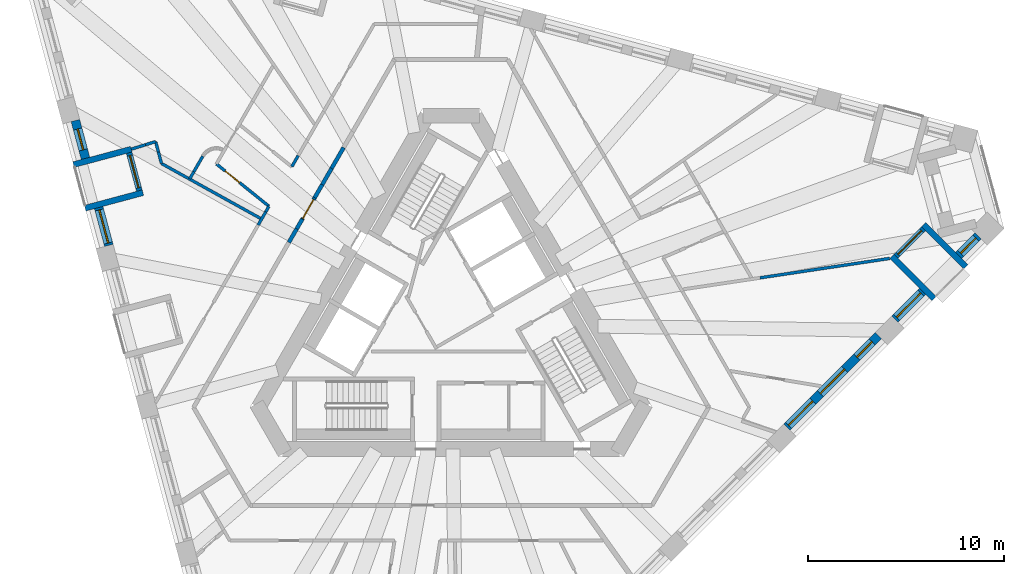
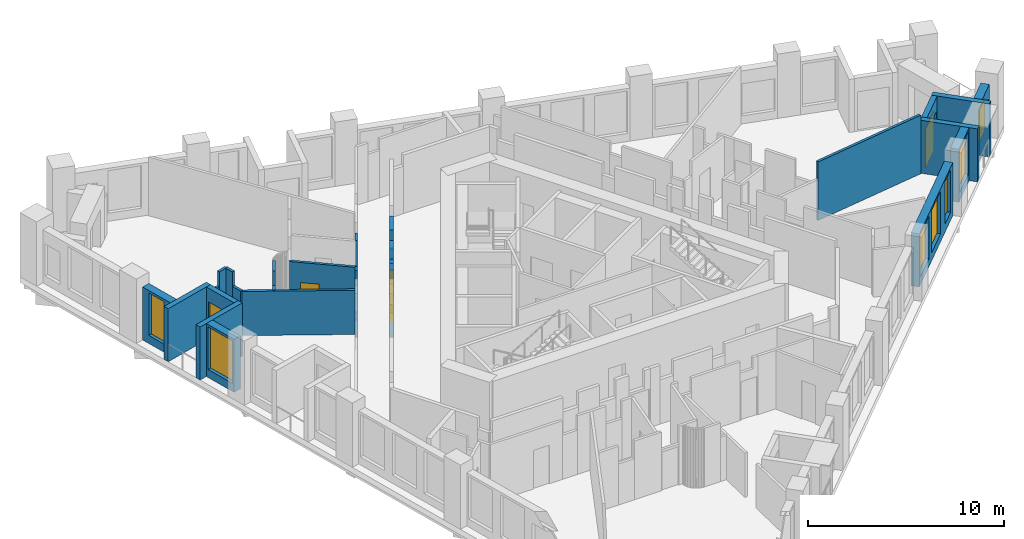
# One storey, part 6 of 13: 29 walls, 7 windows, 4 doors, 11 openings.
"""IFC4 building model written with IfcOpenShell, lengths in metres."""

from ifc_helpers import new_model, si_unit, direction, frame, frame_2d, origin, place, context, subcontext, project, spatial, polyline, rectangle, outline, extrude, material, layer, layer_set, type_object, element, fill, save


model = new_model("IFC4")

# Units and contexts
model_context = context("Model", 3, precision=1e-05, world=origin(), true_north=direction((0.0, 1.0)))
body_context = subcontext(model_context, "Body", "Model", "MODEL_VIEW")
ifc_project = project(units=[si_unit("LENGTHUNIT", "METRE"), si_unit("AREAUNIT", "SQUARE_METRE"), si_unit("VOLUMEUNIT", "CUBIC_METRE"), si_unit("PLANEANGLEUNIT", "RADIAN"), si_unit("MASSUNIT", "GRAM", prefix="KILO")], contexts=[model_context])

# Site, building, storey
site_placement = place(None, origin())
site = spatial("IfcSite", under=ifc_project, at=site_placement, CompositionType="ELEMENT")
building_placement = place(site_placement, origin())
building = spatial("IfcBuilding", under=site, at=building_placement, Name="Tramontana Tower", CompositionType="ELEMENT")
storey_placement = place(building_placement, frame((0.0, 0.0, 216.0)))
storey = spatial("IfcBuildingStorey", under=building, at=storey_placement, Name="L50", CompositionType="ELEMENT", Elevation=216.0)

# Walls
ifc_material_1 = material(Name="Blockwork", Category="masonry")
ifc_layer_1 = layer(ifc_material_1, 0.199951171875)
ifc_layer_set_1 = layer_set([ifc_layer_1], Name="ENTRY WALL 200")
wall_type_1 = type_object("IfcWallType", Name="ENTRY WALL 200", PredefinedType="SOLIDWALL", material=ifc_layer_set_1)
wall_1_placement = place(storey_placement, frame((-8.2783203125, 4.16162109375, 0.0), z_axis=(0.0, 0.0, 1.0), x_axis=(0.500109828528, 0.865961984968, 0.0)))
element("IfcWall", 1, at=wall_1_placement, inside=storey, type_object=wall_type_1, Name="Wall v51-ew4-5", PredefinedType="SOLIDWALL", context=body_context, shape_type="SweptSolid", body=[
    extrude(rectangle(XDim=0.800048828125, YDim=0.199951171875, at=frame_2d((0.39990234375, 0.0))), origin(), (0.0, 0.0, 1.0), 2.75),
])
wall_2_placement = place(storey_placement, frame((-7.878173828125, 4.8544921875, 0.0), z_axis=(0.0, 0.0, 1.0), x_axis=(0.499783563124, 0.866150327617, 0.0)))
element("IfcWall", 2, at=wall_2_placement, inside=storey, type_object=wall_type_1, Name="Wall v51-ew4-6", PredefinedType="SOLIDWALL", context=body_context, shape_type="SweptSolid", body=[
    extrude(rectangle(XDim=0.576416015625, YDim=0.199951171875, at=frame_2d((0.2880859375, 0.0))), origin(), (0.0, 0.0, 1.0), 3.64990234375),
])

# Wall, opening, door
wall_3_placement = place(storey_placement, frame((-7.590087890625, 5.353759765625, 0.0), z_axis=(0.0, 0.0, 1.0), x_axis=(0.50013570633, 0.86594703952, 0.0)))
wall_3 = element("IfcWall", 3, at=wall_3_placement, inside=storey, type_object=wall_type_1, Name="Wall v51-ew4-7", PredefinedType="SOLIDWALL", context=body_context, shape_type="SweptSolid", body=[
    extrude(outline(polyline([(0.0, 0.0), (1.261474609375, 0.0), (1.261474609375, 2.550048828125), (0.347412109375, 2.550048828125), (0.347412109375, 3.64990234375), (0.0, 3.64990234375), (0.0, 0.0)])), frame((0.0, 0.10009765625, 0.0), z_axis=(0.0, -1.0, 0.0), x_axis=(1.0, 0.0, 0.0)), (0.0, 0.0, 1.0), 0.199951171875),
])
opening_1_placement = place(wall_3_placement, frame((0.050048828125, 0.0, 0.0)))
opening_1 = element("IfcOpeningElement", 4, at=opening_1_placement, cuts=wall_3, Name="Opening B5B-19", PredefinedType="OPENING", context=body_context, shape_type="SweptSolid", body=[
    extrude(rectangle(XDim=1.10009765625, YDim=2.39990234375, at=frame_2d((0.550048828125, 1.199951171875))), frame((0.0, 0.10986328125, 0.0), z_axis=(0.0, -1.0, 0.0), x_axis=(1.0, 0.0, 0.0)), (0.0, 0.0, 1.0), 0.219970703125),
])
ifc_material_2 = material(Name="Painted timber", Category="wood")
door_type_1 = type_object("IfcDoorType", Name="DOOR ENTRY 1100", OperationType="SINGLE_SWING_LEFT", PredefinedType="DOOR", material=ifc_material_2)
door_1_placement = place(opening_1_placement, origin())
door_1 = element("IfcDoor", 5, at=door_1_placement, inside=storey, type_object=door_type_1, Name="Door B5B-19", OperationType="SINGLE_SWING_LEFT", OverallHeight=2.39990234375, OverallWidth=1.10009765625, PredefinedType="DOOR", context=body_context, shape_type="SweptSolid", body=[
    extrude(rectangle(XDim=1.10009765625, YDim=2.39990234375, at=frame_2d((0.550048828125, 1.199951171875))), frame((0.0, 0.02490234375, 0.0), z_axis=(0.0, -1.0, 0.0), x_axis=(1.0, 0.0, 0.0)), (0.0, 0.0, 1.0), 0.050048828125),
])
fill(opening_1, door_1)

# Walls
wall_4_placement = place(storey_placement, frame((-6.959228515625, 6.446044921875, 0.0), z_axis=(0.0, 0.0, 1.0), x_axis=(0.499997253739, 0.866026989333, 0.0)))
element("IfcWall", 6, at=wall_4_placement, inside=storey, type_object=wall_type_1, Name="Wall v51-ew4-8", PredefinedType="SOLIDWALL", context=body_context, shape_type="SweptSolid", body=[
    extrude(rectangle(XDim=0.76904296875, YDim=0.199951171875, at=frame_2d((0.384521484375, 0.0))), origin(), (0.0, 0.0, 1.0), 3.64990234375),
])
wall_5_placement = place(storey_placement, frame((-6.57470703125, 7.112060546875, 0.0), z_axis=(0.0, 0.0, 1.0), x_axis=(0.499869636591, 0.866100656052, 0.0)))
element("IfcWall", 7, at=wall_5_placement, inside=storey, type_object=wall_type_1, Name="Wall v51-ew4-9", PredefinedType="SOLIDWALL", context=body_context, shape_type="SweptSolid", body=[
    extrude(rectangle(XDim=0.957275390625, YDim=0.199951171875, at=frame_2d((0.478515625, 0.0))), origin(), (0.0, 0.0, 1.0), 2.550048828125),
])
wall_6_placement = place(storey_placement, frame((-6.09619140625, 7.941162109375, 0.0), z_axis=(0.0, 0.0, 1.0), x_axis=(0.500055461028, 0.865993380977, 0.0)))
element("IfcWall", 8, at=wall_6_placement, inside=storey, type_object=wall_type_1, Name="Wall v51-ew4-10", PredefinedType="SOLIDWALL", context=body_context, shape_type="SweptSolid", body=[
    extrude(rectangle(XDim=1.226806640625, YDim=0.199951171875, at=frame_2d((0.61328125, 0.0))), origin(), (0.0, 0.0, 1.0), 3.64990234375),
])

# Wall, opening, window
ifc_material_3 = material(Name="Precast concrete 60 MPa", Category="concrete")
ifc_layer_2 = layer(ifc_material_3, 0.449951171875)
ifc_layer_set_2 = layer_set([ifc_layer_2], Name="Precast concrete 60 MPa, 450 mm")
wall_type_2 = type_object("IfcWallType", Name="EW1 Stone-faced precast wall 450", PredefinedType="SOLIDWALL", material=ifc_layer_set_2)
wall_7_placement = place(storey_placement, frame((-19.1650390625, 10.3818359375, 0.0), z_axis=(0.0, 0.0, 1.0), x_axis=(0.258803270362, -0.96593005298, 0.0)))
wall_7 = element("IfcWall", 9, at=wall_7_placement, inside=storey, type_object=wall_type_2, Name="External wall L50 face 0 bay 2", PredefinedType="SOLIDWALL", context=body_context, shape_type="SweptSolid", body=[
    extrude(rectangle(XDim=1.998046875, YDim=0.449951171875, at=frame_2d((0.9990234375, 0.0))), origin(), (0.0, 0.0, 1.0), 3.300048828125),
])
opening_2_placement = place(wall_7_placement, frame((0.448974609375, 0.0, 0.5)))
opening_2 = element("IfcOpeningElement", 10, at=opening_2_placement, cuts=wall_7, Name="Opening N2", PredefinedType="OPENING", context=body_context, shape_type="SweptSolid", body=[
    extrude(rectangle(XDim=1.10009765625, YDim=2.64990234375, at=frame_2d((0.550048828125, 1.324951171875))), frame((0.0, 0.23486328125, 0.0), z_axis=(0.0, -1.0, 0.0), x_axis=(1.0, 0.0, 0.0)), (0.0, 0.0, 1.0), 0.469970703125),
])
ifc_material_4 = material(Name="Aluminum frame, double glazing unit", Category="aluminium")
window_type_1 = type_object("IfcWindowType", Name="N2 Window 1.1 x 2.65", PartitioningType="SINGLE_PANEL", PredefinedType="WINDOW", material=ifc_material_4)
window_1_placement = place(opening_2_placement, origin())
window_1 = element("IfcWindow", 11, at=window_1_placement, inside=storey, type_object=window_type_1, Name="Window N2 L50 face 0 module 4", OverallHeight=2.64990234375, OverallWidth=1.10009765625, PartitioningType="SINGLE_PANEL", PredefinedType="WINDOW", context=body_context, shape_type="SweptSolid", body=[
    extrude(rectangle(XDim=1.10009765625, YDim=2.64990234375, at=frame_2d((0.550048828125, 1.324951171875))), frame((0.0, 0.030029296875, 0.0), z_axis=(0.0, -1.0, 0.0), x_axis=(1.0, 0.0, 0.0)), (0.0, 0.0, 1.0), 0.06005859375),
])
fill(opening_2, window_1)

wall_8_placement = place(storey_placement, frame((-17.9755859375, 5.9423828125, 0.0), z_axis=(0.0, 0.0, 1.0), x_axis=(0.25891727291, -0.965899500874, 0.0)))
wall_8 = element("IfcWall", 12, at=wall_8_placement, inside=storey, type_object=wall_type_2, Name="External wall L50 face 0 bay 2", PredefinedType="SOLIDWALL", context=body_context, shape_type="SweptSolid", body=[
    extrude(rectangle(XDim=1.998046875, YDim=0.449951171875, at=frame_2d((0.9990234375, 0.0))), origin(), (0.0, 0.0, 1.0), 3.300048828125),
])
opening_3_placement = place(wall_8_placement, frame((0.1240234375, 0.0, 0.5)))
opening_3 = element("IfcOpeningElement", 13, at=opening_3_placement, cuts=wall_8, Name="Opening M2", PredefinedType="OPENING", context=body_context, shape_type="SweptSolid", body=[
    extrude(rectangle(XDim=1.75, YDim=2.64990234375, at=frame_2d((0.875, 1.324951171875))), frame((0.0, 0.23486328125, 0.0), z_axis=(0.0, -1.0, 0.0), x_axis=(1.0, 0.0, 0.0)), (0.0, 0.0, 1.0), 0.469970703125),
])
ifc_material_5 = material(Name="Aluminum frame, double glazing unit", Category="aluminium")
window_type_2 = type_object("IfcWindowType", Name="M2 Window 1.75 x 2.65", PartitioningType="SINGLE_PANEL", PredefinedType="WINDOW", material=ifc_material_5)
window_2_placement = place(opening_3_placement, origin())
window_2 = element("IfcWindow", 14, at=window_2_placement, inside=storey, type_object=window_type_2, Name="Window M2 L50 face 0 module 6", OverallHeight=2.64990234375, OverallWidth=1.75, PartitioningType="SINGLE_PANEL", PredefinedType="WINDOW", context=body_context, shape_type="SweptSolid", body=[
    extrude(rectangle(XDim=1.75, YDim=2.64990234375, at=frame_2d((0.875, 1.324951171875))), frame((0.0, 0.030029296875, 0.0), z_axis=(0.0, -1.0, 0.0), x_axis=(1.0, 0.0, 0.0)), (0.0, 0.0, 1.0), 0.06005859375),
])
fill(opening_3, window_2)

# Wall, openings, windows
wall_9_placement = place(storey_placement, frame((17.12548828125, -5.25439453125, 0.0), z_axis=(0.0, 0.0, 1.0), x_axis=(0.707106781187, 0.707106781187, 0.0)))
wall_9 = element("IfcWall", 15, at=wall_9_placement, inside=storey, type_object=wall_type_2, Name="External wall L50 face 1 bay 5", PredefinedType="SOLIDWALL", context=body_context, shape_type="SweptSolid", body=[
    extrude(rectangle(XDim=6.59423828125, YDim=0.449951171875, at=frame_2d((3.297119140625, 0.0))), origin(), (0.0, 0.0, 1.0), 3.300048828125),
])
opening_4_placement = place(wall_9_placement, frame((0.1240234375, 0.0, 0.5)))
opening_4 = element("IfcOpeningElement", 16, at=opening_4_placement, cuts=wall_9, Name="Opening M2", PredefinedType="OPENING", context=body_context, shape_type="SweptSolid", body=[
    extrude(rectangle(XDim=1.75, YDim=2.64990234375, at=frame_2d((0.875, 1.324951171875))), frame((0.0, 0.23486328125, 0.0), z_axis=(0.0, -1.0, 0.0), x_axis=(1.0, 0.0, 0.0)), (0.0, 0.0, 1.0), 0.469970703125),
])
opening_5_placement = place(wall_9_placement, frame((2.422119140625, 0.0, 0.5)))
opening_5 = element("IfcOpeningElement", 17, at=opening_5_placement, cuts=wall_9, Name="Opening M2", PredefinedType="OPENING", context=body_context, shape_type="SweptSolid", body=[
    extrude(rectangle(XDim=1.75, YDim=2.64990234375, at=frame_2d((0.875, 1.324951171875))), frame((0.0, 0.23486328125, 0.0), z_axis=(0.0, -1.0, 0.0), x_axis=(1.0, 0.0, 0.0)), (0.0, 0.0, 1.0), 0.469970703125),
])
opening_6_placement = place(wall_9_placement, frame((5.045166015625, 0.0, 0.5)))
opening_6 = element("IfcOpeningElement", 18, at=opening_6_placement, cuts=wall_9, Name="Opening N2", PredefinedType="OPENING", context=body_context, shape_type="SweptSolid", body=[
    extrude(rectangle(XDim=1.10009765625, YDim=2.64990234375, at=frame_2d((0.550048828125, 1.324951171875))), frame((0.0, 0.23486328125, 0.0), z_axis=(0.0, -1.0, 0.0), x_axis=(1.0, 0.0, 0.0)), (0.0, 0.0, 1.0), 0.469970703125),
])
window_3_placement = place(opening_4_placement, origin())
window_3 = element("IfcWindow", 19, at=window_3_placement, inside=storey, type_object=window_type_2, Name="Window M2 L50 face 1 module 13", OverallHeight=2.64990234375, OverallWidth=1.75, PartitioningType="SINGLE_PANEL", PredefinedType="WINDOW", context=body_context, shape_type="SweptSolid", body=[
    extrude(rectangle(XDim=1.75, YDim=2.64990234375, at=frame_2d((0.875, 1.324951171875))), frame((0.0, 0.030029296875, 0.0), z_axis=(0.0, -1.0, 0.0), x_axis=(1.0, 0.0, 0.0)), (0.0, 0.0, 1.0), 0.06005859375),
])
fill(opening_4, window_3)
window_4_placement = place(opening_5_placement, origin())
window_4 = element("IfcWindow", 20, at=window_4_placement, inside=storey, type_object=window_type_2, Name="Window M2 L50 face 1 module 14", OverallHeight=2.64990234375, OverallWidth=1.75, PartitioningType="SINGLE_PANEL", PredefinedType="WINDOW", context=body_context, shape_type="SweptSolid", body=[
    extrude(rectangle(XDim=1.75, YDim=2.64990234375, at=frame_2d((0.875, 1.324951171875))), frame((0.0, 0.030029296875, 0.0), z_axis=(0.0, -1.0, 0.0), x_axis=(1.0, 0.0, 0.0)), (0.0, 0.0, 1.0), 0.06005859375),
])
fill(opening_5, window_4)
window_5_placement = place(opening_6_placement, origin())
window_5 = element("IfcWindow", 21, at=window_5_placement, inside=storey, type_object=window_type_1, Name="Window N2 L50 face 1 module 15", OverallHeight=2.64990234375, OverallWidth=1.10009765625, PartitioningType="SINGLE_PANEL", PredefinedType="WINDOW", context=body_context, shape_type="SweptSolid", body=[
    extrude(rectangle(XDim=1.10009765625, YDim=2.64990234375, at=frame_2d((0.550048828125, 1.324951171875))), frame((0.0, 0.030029296875, 0.0), z_axis=(0.0, -1.0, 0.0), x_axis=(1.0, 0.0, 0.0)), (0.0, 0.0, 1.0), 0.06005859375),
])
fill(opening_6, window_5)

# Wall, opening, window
wall_10_placement = place(storey_placement, frame((22.636962890625, 0.257080078125, 0.0), z_axis=(0.0, 0.0, 1.0), x_axis=(0.707106781187, 0.707106781187, 0.0)))
wall_10 = element("IfcWall", 22, at=wall_10_placement, inside=storey, type_object=wall_type_2, Name="External wall L50 face 1 bay 6", PredefinedType="SOLIDWALL", context=body_context, shape_type="SweptSolid", body=[
    extrude(rectangle(XDim=1.998046875, YDim=0.449951171875, at=frame_2d((0.9990234375, 0.0))), origin(), (0.0, 0.0, 1.0), 3.300048828125),
])
opening_7_placement = place(wall_10_placement, frame((0.1240234375, 0.0, 0.5)))
opening_7 = element("IfcOpeningElement", 23, at=opening_7_placement, cuts=wall_10, Name="Opening M2", PredefinedType="OPENING", context=body_context, shape_type="SweptSolid", body=[
    extrude(rectangle(XDim=1.75, YDim=2.64990234375, at=frame_2d((0.875, 1.324951171875))), frame((0.0, 0.23486328125, 0.0), z_axis=(0.0, -1.0, 0.0), x_axis=(1.0, 0.0, 0.0)), (0.0, 0.0, 1.0), 0.469970703125),
])
window_6_placement = place(opening_7_placement, origin())
window_6 = element("IfcWindow", 24, at=window_6_placement, inside=storey, type_object=window_type_2, Name="Window M2 L50 face 1 module 16", OverallHeight=2.64990234375, OverallWidth=1.75, PartitioningType="SINGLE_PANEL", PredefinedType="WINDOW", context=body_context, shape_type="SweptSolid", body=[
    extrude(rectangle(XDim=1.75, YDim=2.64990234375, at=frame_2d((0.875, 1.324951171875))), frame((0.0, 0.030029296875, 0.0), z_axis=(0.0, -1.0, 0.0), x_axis=(1.0, 0.0, 0.0)), (0.0, 0.0, 1.0), 0.06005859375),
])
fill(opening_7, window_6)

wall_11_placement = place(storey_placement, frame((25.886962890625, 3.507080078125, 0.0), z_axis=(0.0, 0.0, 1.0), x_axis=(0.707106781187, 0.707106781187, 0.0)))
wall_11 = element("IfcWall", 25, at=wall_11_placement, inside=storey, type_object=wall_type_2, Name="External wall L50 face 1 bay 6", PredefinedType="SOLIDWALL", context=body_context, shape_type="SweptSolid", body=[
    extrude(rectangle(XDim=1.39794921875, YDim=0.449951171875, at=frame_2d((0.698974609375, 0.0))), origin(), (0.0, 0.0, 1.0), 3.300048828125),
])
opening_8_placement = place(wall_11_placement, frame((0.14892578125, 0.0, 0.5)))
opening_8 = element("IfcOpeningElement", 26, at=opening_8_placement, cuts=wall_11, Name="Opening N2L", PredefinedType="OPENING", context=body_context, shape_type="SweptSolid", body=[
    extrude(rectangle(XDim=1.10009765625, YDim=2.0, at=frame_2d((0.550048828125, 1.0))), frame((0.0, 0.23486328125, 0.0), z_axis=(0.0, -1.0, 0.0), x_axis=(1.0, 0.0, 0.0)), (0.0, 0.0, 1.0), 0.469970703125),
])
ifc_material_6 = material(Name="Aluminum frame, double glazing unit", Category="aluminium")
window_type_3 = type_object("IfcWindowType", Name="N2L Window 1.1 x 2", PartitioningType="SINGLE_PANEL", PredefinedType="WINDOW", material=ifc_material_6)
window_7_placement = place(opening_8_placement, origin())
window_7 = element("IfcWindow", 27, at=window_7_placement, inside=storey, type_object=window_type_3, Name="Window N2L L50 face 1 module 18", OverallHeight=2.0, OverallWidth=1.10009765625, PartitioningType="SINGLE_PANEL", PredefinedType="WINDOW", context=body_context, shape_type="SweptSolid", body=[
    extrude(rectangle(XDim=1.10009765625, YDim=2.0, at=frame_2d((0.550048828125, 1.0))), frame((0.0, 0.030029296875, 0.0), z_axis=(0.0, -1.0, 0.0), x_axis=(1.0, 0.0, 0.0)), (0.0, 0.0, 1.0), 0.06005859375),
])
fill(opening_8, window_7)

# Wall, opening, door
ifc_material_7 = material(Name="Precast concrete 60 MPa", Category="concrete")
ifc_layer_3 = layer(ifc_material_7, 0.300048828125)
ifc_layer_set_3 = layer_set([ifc_layer_3], Name="LW1 Stone-faced loggia wall 300")
wall_type_3 = type_object("IfcWallType", Name="LW1 Stone-faced loggia wall 300", PredefinedType="SOLIDWALL", material=ifc_layer_set_3)
wall_12_placement = place(storey_placement, frame((-16.421142578125, 8.738037109375, 0.0), z_axis=(0.0, 0.0, 1.0), x_axis=(0.258803270362, -0.96593005298, 0.0)))
wall_12 = element("IfcWall", 28, at=wall_12_placement, inside=storey, type_object=wall_type_3, Name="Loggia wall L50 G5S0.4", PredefinedType="SOLIDWALL", context=body_context, shape_type="SweptSolid", body=[
    extrude(rectangle(XDim=1.998046875, YDim=0.300048828125, at=frame_2d((0.9990234375, 0.0))), origin(), (0.0, 0.0, 1.0), 3.300048828125),
])
opening_9_placement = place(wall_12_placement, frame((0.14892578125, 0.0, 0.0)))
opening_9 = element("IfcOpeningElement", 29, at=opening_9_placement, cuts=wall_12, Name="Opening BD-5S0-04", PredefinedType="OPENING", context=body_context, shape_type="SweptSolid", body=[
    extrude(rectangle(XDim=1.699951171875, YDim=2.449951171875, at=frame_2d((0.85009765625, 1.22509765625))), frame((0.0, 0.159912109375, 0.0), z_axis=(0.0, -1.0, 0.0), x_axis=(1.0, 0.0, 0.0)), (0.0, 0.0, 1.0), 0.320068359375),
])
ifc_material_8 = material(Name="Aluminum frame, double glazing unit", Category="aluminium")
door_type_2 = type_object("IfcDoorType", Name="BD2 Sliding door 1.7 x 2.45", OperationType="SLIDING_TO_LEFT", PredefinedType="DOOR", material=ifc_material_8)
door_2_placement = place(opening_9_placement, origin())
door_2 = element("IfcDoor", 30, at=door_2_placement, inside=storey, type_object=door_type_2, Name="Loggia door L50 G5S0.4", OperationType="SLIDING_TO_LEFT", OverallHeight=2.449951171875, OverallWidth=1.699951171875, PredefinedType="DOOR", context=body_context, shape_type="SweptSolid", body=[
    extrude(rectangle(XDim=1.699951171875, YDim=2.449951171875, at=frame_2d((0.85009765625, 1.22509765625))), frame((0.0, 0.02490234375, 0.0), z_axis=(0.0, -1.0, 0.0), x_axis=(1.0, 0.0, 0.0)), (0.0, 0.0, 1.0), 0.050048828125),
])
fill(opening_9, door_2)

# Walls
wall_13_placement = place(storey_placement, frame((-19.26123046875, 8.13232421875, 0.0), z_axis=(0.0, 0.0, 1.0), x_axis=(0.9659380486, 0.25877342651, 0.0)))
element("IfcWall", 31, at=wall_13_placement, inside=storey, type_object=wall_type_3, Name="Loggia return L50 G5S0.4a", PredefinedType="SOLIDWALL", context=body_context, shape_type="SweptSolid", body=[
    extrude(rectangle(XDim=3.05029296875, YDim=0.300048828125, at=frame_2d((1.525146484375, 0.0))), origin(), (0.0, 0.0, 1.0), 3.300048828125),
])
wall_14_placement = place(storey_placement, frame((-18.666259765625, 5.91259765625, 0.0), z_axis=(0.0, 0.0, 1.0), x_axis=(0.965932688119, 0.258793435045, 0.0)))
element("IfcWall", 32, at=wall_14_placement, inside=storey, type_object=wall_type_3, Name="Loggia return L50 G5S0.4b", PredefinedType="SOLIDWALL", context=body_context, shape_type="SweptSolid", body=[
    extrude(rectangle(XDim=3.050048828125, YDim=0.300048828125, at=frame_2d((1.52490234375, 0.0))), origin(), (0.0, 0.0, 1.0), 3.300048828125),
])

# Wall, opening, door
wall_15_placement = place(storey_placement, frame((22.688720703125, 3.455322265625, 0.0), z_axis=(0.0, 0.0, 1.0), x_axis=(0.707106781187, 0.707106781187, 0.0)))
wall_15 = element("IfcWall", 33, at=wall_15_placement, inside=storey, type_object=wall_type_3, Name="Loggia wall L50 G5S1.16", PredefinedType="SOLIDWALL", context=body_context, shape_type="SweptSolid", body=[
    extrude(rectangle(XDim=1.998046875, YDim=0.300048828125, at=frame_2d((0.9990234375, 0.0))), origin(), (0.0, 0.0, 1.0), 3.300048828125),
])
opening_10_placement = place(wall_15_placement, frame((0.14892578125, 0.0, 0.0)))
opening_10 = element("IfcOpeningElement", 34, at=opening_10_placement, cuts=wall_15, Name="Opening BD-5S1-16", PredefinedType="OPENING", context=body_context, shape_type="SweptSolid", body=[
    extrude(rectangle(XDim=1.699951171875, YDim=2.449951171875, at=frame_2d((0.85009765625, 1.22509765625))), frame((0.0, 0.159912109375, 0.0), z_axis=(0.0, -1.0, 0.0), x_axis=(1.0, 0.0, 0.0)), (0.0, 0.0, 1.0), 0.320068359375),
])
door_3_placement = place(opening_10_placement, origin())
door_3 = element("IfcDoor", 35, at=door_3_placement, inside=storey, type_object=door_type_2, Name="Loggia door L50 G5S1.16", OperationType="SLIDING_TO_LEFT", OverallHeight=2.449951171875, OverallWidth=1.699951171875, PredefinedType="DOOR", context=body_context, shape_type="SweptSolid", body=[
    extrude(rectangle(XDim=1.699951171875, YDim=2.449951171875, at=frame_2d((0.85009765625, 1.22509765625))), frame((0.0, 0.02490234375, 0.0), z_axis=(0.0, -1.0, 0.0), x_axis=(1.0, 0.0, 0.0)), (0.0, 0.0, 1.0), 0.050048828125),
])
fill(opening_10, door_3)

# Walls
for number, where, z_axis, x_axis, name in (
    (36, (24.633056640625, 1.298583984375, 0.0), (0.0, 0.0, 1.0), (-0.707066755897, 0.707146804211, 0.0), "Loggia return L50 G5S1.16a"),
    (37, (26.258056640625, 2.923583984375, 0.0), (0.0, 0.0, 1.0), (-0.707066755897, 0.707146804211, 0.0), "Loggia return L50 G5S1.16b"),
):
    element("IfcWall", number, at=place(storey_placement, frame(where, z_axis=z_axis, x_axis=x_axis)), inside=storey, type_object=wall_type_3, Name=name, PredefinedType="SOLIDWALL", context=body_context, shape_type="SweptSolid", body=[
        extrude(rectangle(XDim=3.0498046875, YDim=0.300048828125, at=frame_2d((1.52490234375, 0.0))), origin(), (0.0, 0.0, 1.0), 3.300048828125),
    ])
ifc_material_9 = material(Name="Gypsum board partition")
ifc_layer_4 = layer(ifc_material_9, 0.14990234375)
ifc_layer_set_4 = layer_set([ifc_layer_4], Name="PARTITION 150")
wall_type_4 = type_object("IfcWallType", Name="PARTITION 150", PredefinedType="PARTITIONING", material=ifc_layer_set_4)
wall_16_placement = place(storey_placement, frame((-9.843994140625, 5.0498046875, 0.0), z_axis=(0.0, 0.0, 1.0), x_axis=(0.500204125617, 0.865907519724, 0.0)))
element("IfcWall", 38, at=wall_16_placement, inside=storey, type_object=wall_type_4, Name="Wall v51-pw01-4", PredefinedType="PARTITIONING", context=body_context, shape_type="SweptSolid", body=[
    extrude(rectangle(XDim=0.775146484375, YDim=0.14990234375, at=frame_2d((0.3876953125, 0.0))), origin(), (0.0, 0.0, 1.0), 2.75),
])
wall_17_placement = place(storey_placement, frame((-9.456298828125, 5.720947265625, 0.0), z_axis=(0.0, 0.0, 1.0), x_axis=(0.499572501669, 0.866272079416, 0.0)))
element("IfcWall", 39, at=wall_17_placement, inside=storey, type_object=wall_type_4, Name="Wall v51-pw01-5", PredefinedType="PARTITIONING", context=body_context, shape_type="SweptSolid", body=[
    extrude(rectangle(XDim=0.328857421875, YDim=0.14990234375, at=frame_2d((0.16455078125, 0.0))), origin(), (0.0, 0.0, 1.0), 3.64990234375),
])
wall_18_placement = place(storey_placement, frame((-15.073974609375, 9.30615234375, 0.0), z_axis=(0.0, 0.0, 1.0), x_axis=(-0.955252629149, -0.295791167049, 0.0)))
element("IfcWall", 40, at=wall_18_placement, inside=storey, type_object=wall_type_4, Name="Wall v51-pw02-0", PredefinedType="PARTITIONING", context=body_context, shape_type="SweptSolid", body=[
    extrude(rectangle(XDim=0.543212890625, YDim=0.14990234375, at=frame_2d((0.271484375, 0.0))), origin(), (0.0, 0.0, 1.0), 3.64990234375),
])
wall_19_placement = place(storey_placement, frame((-15.5927734375, 9.1455078125, 0.0), z_axis=(0.0, 0.0, 1.0), x_axis=(-0.955155499666, -0.296104663013, 0.0)))
element("IfcWall", 41, at=wall_19_placement, inside=storey, type_object=wall_type_4, Name="Wall v51-pw02-1", PredefinedType="PARTITIONING", context=body_context, shape_type="SweptSolid", body=[
    extrude(rectangle(XDim=0.756103515625, YDim=0.14990234375, at=frame_2d((0.3779296875, 0.0))), origin(), (0.0, 0.0, 1.0), 2.75),
])
wall_20_placement = place(storey_placement, frame((-14.77294921875, 8.190185546875, 0.0), z_axis=(0.0, 0.0, 1.0), x_axis=(-0.258715941946, 0.965953446799, 0.0)))
element("IfcWall", 42, at=wall_20_placement, inside=storey, type_object=wall_type_4, Name="Wall v51-pw03-0", PredefinedType="PARTITIONING", context=body_context, shape_type="SweptSolid", body=[
    extrude(rectangle(XDim=0.605712890625, YDim=0.14990234375, at=frame_2d((0.302734375, 0.0))), origin(), (0.0, 0.0, 1.0), 2.75),
])
wall_21_placement = place(storey_placement, frame((-14.9296875, 8.775390625, 0.0), z_axis=(0.0, 0.0, 1.0), x_axis=(-0.258743505369, 0.965946063934, 0.0)))
element("IfcWall", 43, at=wall_21_placement, inside=storey, type_object=wall_type_4, Name="Wall v51-pw03-1", PredefinedType="PARTITIONING", context=body_context, shape_type="SweptSolid", body=[
    extrude(rectangle(XDim=0.548095703125, YDim=0.14990234375, at=frame_2d((0.27392578125, 0.0))), origin(), (0.0, 0.0, 1.0), 3.64990234375),
])
wall_22_placement = place(storey_placement, frame((-13.33251953125, 7.407470703125, 0.0), z_axis=(0.0, 0.0, 1.0), x_axis=(0.50011153263, 0.865961000814, 0.0)))
element("IfcWall", 44, at=wall_22_placement, inside=storey, type_object=wall_type_4, Name="Wall v51-pw05-0", PredefinedType="PARTITIONING", context=body_context, shape_type="SweptSolid", body=[
    extrude(rectangle(XDim=0.41650390625, YDim=0.14990234375, at=frame_2d((0.208251953125, 0.0))), origin(), (0.0, 0.0, 1.0), 2.75),
])
wall_23_placement = place(storey_placement, frame((-13.124267578125, 7.76806640625, 0.0), z_axis=(0.0, 0.0, 1.0), x_axis=(0.499982117899, 0.866035727774, 0.0)))
element("IfcWall", 45, at=wall_23_placement, inside=storey, type_object=wall_type_4, Name="Wall v51-pw05-1", PredefinedType="PARTITIONING", context=body_context, shape_type="SweptSolid", body=[
    extrude(rectangle(XDim=0.92236328125, YDim=0.14990234375, at=frame_2d((0.461181640625, 0.0))), origin(), (0.0, 0.0, 1.0), 3.64990234375),
])
wall_24_placement = place(storey_placement, frame((-9.731201171875, 5.39501953125, 0.0), z_axis=(0.0, 0.0, 1.0), x_axis=(-0.874584439846, 0.484873238671, 0.0)))
element("IfcWall", 46, at=wall_24_placement, inside=storey, type_object=wall_type_4, Name="Wall v51-pw27-0", PredefinedType="PARTITIONING", context=body_context, shape_type="SweptSolid", body=[
    extrude(rectangle(XDim=5.7646484375, YDim=0.14990234375, at=frame_2d((2.88232421875, 0.0))), origin(), (0.0, 0.0, 1.0), 2.75),
])

# Wall, opening, door
wall_25_placement = place(storey_placement, frame((-9.292724609375, 6.009765625, 0.0), z_axis=(0.0, 0.0, 1.0), x_axis=(-0.778674886867, 0.627427621772, 0.0)))
wall_25 = element("IfcWall", 47, at=wall_25_placement, inside=storey, type_object=wall_type_4, Name="Wall v51-pw28", PredefinedType="PARTITIONING", context=body_context, shape_type="SweptSolid", body=[
    extrude(rectangle(XDim=3.438232421875, YDim=0.14990234375, at=frame_2d((1.71923828125, 0.0))), origin(), (0.0, 0.0, 1.0), 3.64990234375),
])
opening_11_placement = place(wall_25_placement, frame((1.919921875, 0.0, 0.0)))
opening_11 = element("IfcOpeningElement", 48, at=opening_11_placement, cuts=wall_25, Name="Opening B5B-01", PredefinedType="OPENING", context=body_context, shape_type="SweptSolid", body=[
    extrude(rectangle(XDim=0.949951171875, YDim=2.39990234375, at=frame_2d((0.47509765625, 1.199951171875))), frame((0.0, 0.0849609375, 0.0), z_axis=(0.0, -1.0, 0.0), x_axis=(1.0, 0.0, 0.0)), (0.0, 0.0, 1.0), 0.169921875),
])
ifc_material_10 = material(Name="Painted timber", Category="wood")
door_type_3 = type_object("IfcDoorType", Name="DOOR ROOM 950", OperationType="SINGLE_SWING_LEFT", PredefinedType="DOOR", material=ifc_material_10)
door_4_placement = place(opening_11_placement, origin())
door_4 = element("IfcDoor", 49, at=door_4_placement, inside=storey, type_object=door_type_3, Name="Door B5B-01", OperationType="SINGLE_SWING_LEFT", OverallHeight=2.39990234375, OverallWidth=0.949951171875, PredefinedType="DOOR", context=body_context, shape_type="SweptSolid", body=[
    extrude(rectangle(XDim=0.949951171875, YDim=2.39990234375, at=frame_2d((0.47509765625, 1.199951171875))), frame((0.0, 0.02490234375, 0.0), z_axis=(0.0, -1.0, 0.0), x_axis=(1.0, 0.0, 0.0)), (0.0, 0.0, 1.0), 0.050048828125),
])
fill(opening_11, door_4)

# Walls
wall_26_placement = place(storey_placement, frame((-8.125, 8.027099609375, 0.0), z_axis=(0.0, 0.0, 1.0), x_axis=(0.499907248082, 0.866078947507, 0.0)))
element("IfcWall", 50, at=wall_26_placement, inside=storey, type_object=wall_type_4, Name="Wall v51-pw29-0", PredefinedType="PARTITIONING", context=body_context, shape_type="SweptSolid", body=[
    extrude(rectangle(XDim=0.64794921875, YDim=0.14990234375, at=frame_2d((0.323974609375, 0.0))), origin(), (0.0, 0.0, 1.0), 3.64990234375),
])
wall_27_placement = place(storey_placement, frame((22.370361328125, 3.34912109375, 0.0), z_axis=(0.0, 0.0, 1.0), x_axis=(-0.988979396503, -0.148053211016, 0.0)))
element("IfcWall", 51, at=wall_27_placement, inside=storey, type_object=wall_type_4, Name="Wall v51-pw67-0", PredefinedType="PARTITIONING", context=body_context, shape_type="SweptSolid", body=[
    extrude(rectangle(XDim=6.691650390625, YDim=0.14990234375, at=frame_2d((3.345703125, 0.0))), origin(), (0.0, 0.0, 1.0), 3.64990234375),
])

save(model, "model.ifc")
